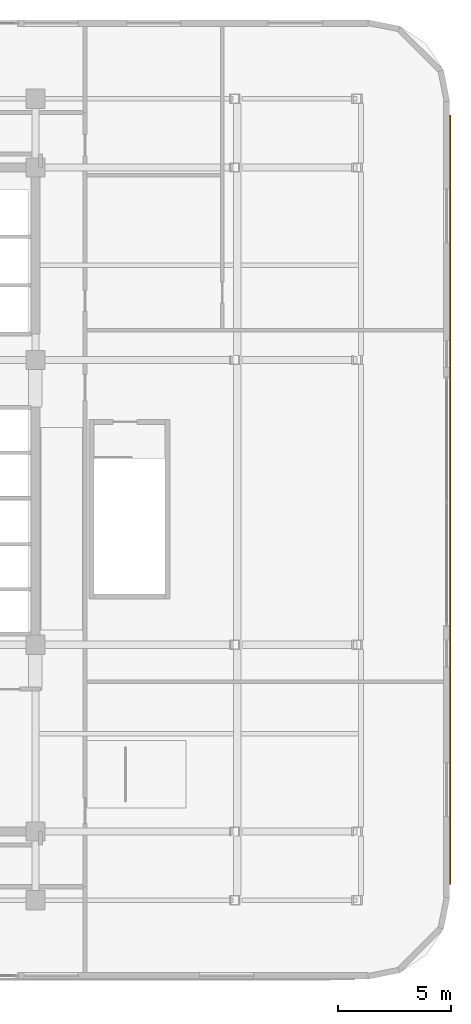
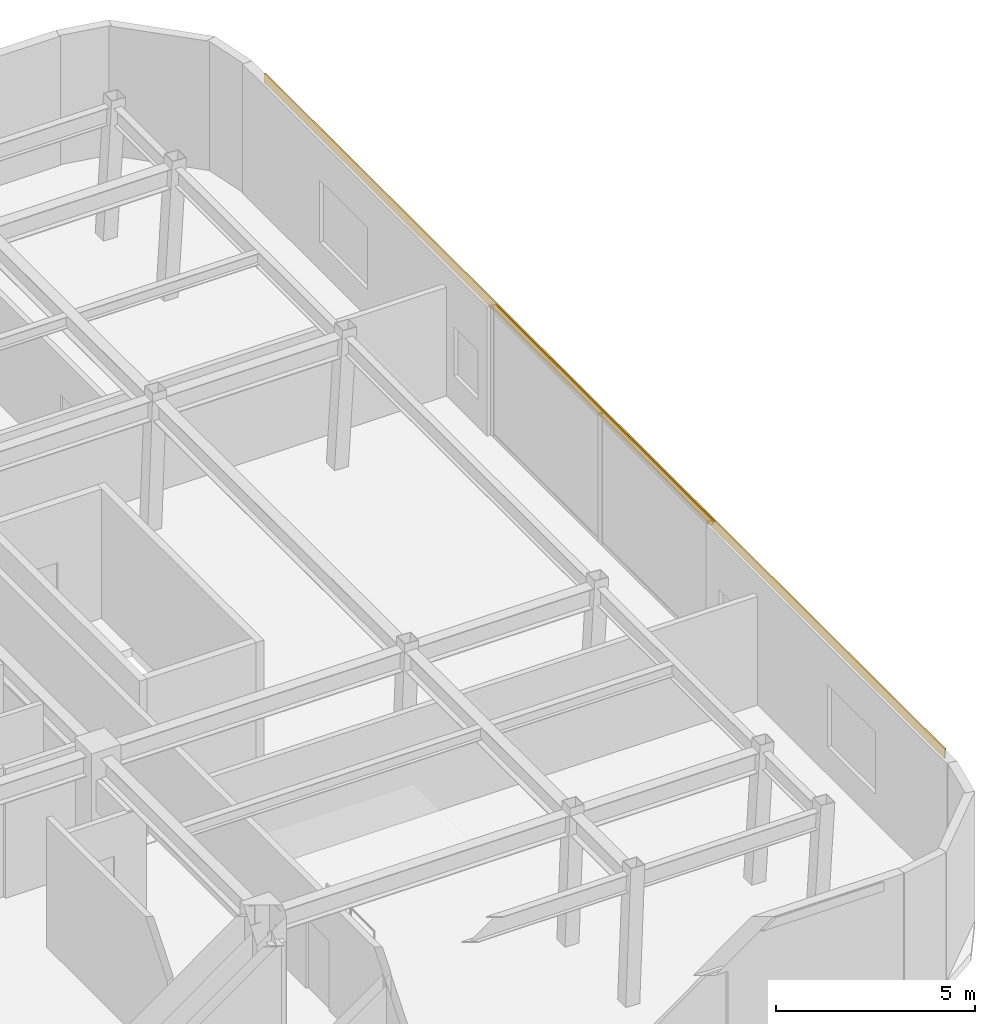
# One storey, part 11 of 12: 1 covering.
"""IFC4 building model written with IfcOpenShell, lengths in metres."""

from ifc_helpers import new_model, si_unit, direction, frame, origin, origin_2d, place, context, subcontext, project, spatial, rectangle, extrude, material, layer, layer_set, type_object, element, save


model = new_model("IFC4")

# Units and contexts
model_context = context("Model", 3, precision=1e-05, world=origin(), true_north=direction((0.0, 1.0)))
body_context = subcontext(model_context, "Body", "Model", "MODEL_VIEW")
ifc_project = project(units=[si_unit("LENGTHUNIT", "METRE"), si_unit("AREAUNIT", "SQUARE_METRE"), si_unit("VOLUMEUNIT", "CUBIC_METRE"), si_unit("PLANEANGLEUNIT", "RADIAN"), si_unit("MASSUNIT", "GRAM", prefix="KILO")], contexts=[model_context])

# Site, building, storey
site_placement = place(None, origin())
site = spatial("IfcSite", under=ifc_project, at=site_placement, CompositionType="ELEMENT")
building_placement = place(site_placement, origin())
building = spatial("IfcBuilding", under=site, at=building_placement, Name="Ochreholt Gables", CompositionType="ELEMENT")
storey_placement = place(building_placement, frame((0.0, 0.0, 117.0)))
storey = spatial("IfcBuildingStorey", under=building, at=storey_placement, Name="L30", CompositionType="ELEMENT", Elevation=117.0)

# Covering
ifc_material = material(Name="Glazed Ochre Terracotta Rainscreen Cladding", Category="masonry")
ifc_layer = layer(ifc_material, 0.044921875, Name="Glazed Ochre Terracotta Rainscreen Cladding")
ifc_layer_set = layer_set([ifc_layer], Name="Glazed Ochre Terracotta Rainscreen Cladding")
covering_type = type_object("IfcCoveringType", Name="COV-CLAD-TC", PredefinedType="CLADDING", material=ifc_layer_set)
covering_placement = place(storey_placement, frame((53.6201171875, 24.0, 3.66015625), z_axis=(0.0, 0.0, 1.0), x_axis=(0.0, 1.0, 0.0)))
element("IfcCovering", 1, at=covering_placement, inside=storey, type_object=covering_type, Name="L30 Terracotta Spandrel Cladding East", PredefinedType="CLADDING", context=body_context, shape_type="SweptSolid", body=[
    extrude(rectangle(XDim=34.159912109375, YDim=0.044921875, at=origin_2d()), origin(), (0.0, 0.0, 1.0), 0.280029296875),
])

save(model, "model.ifc")
